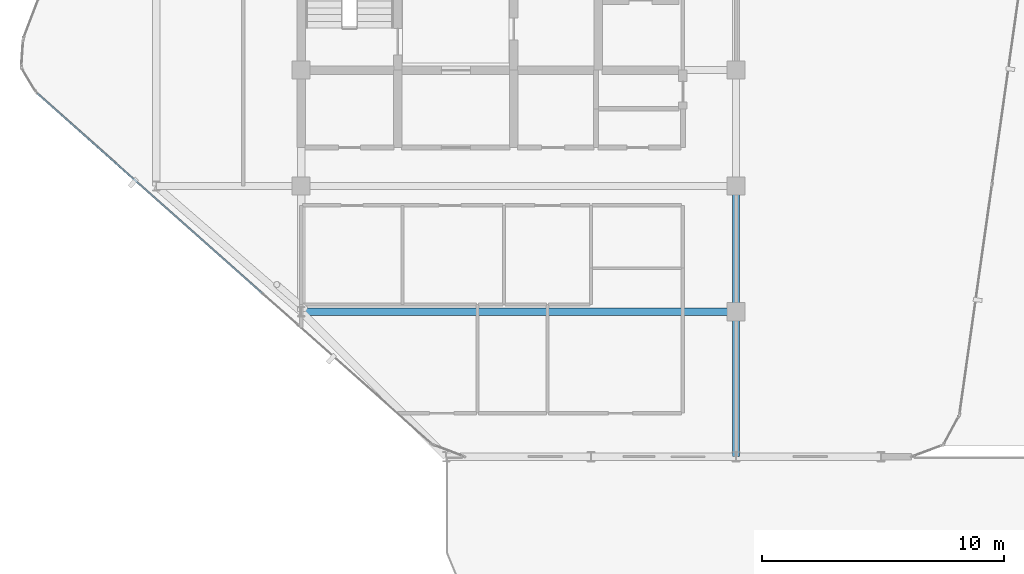
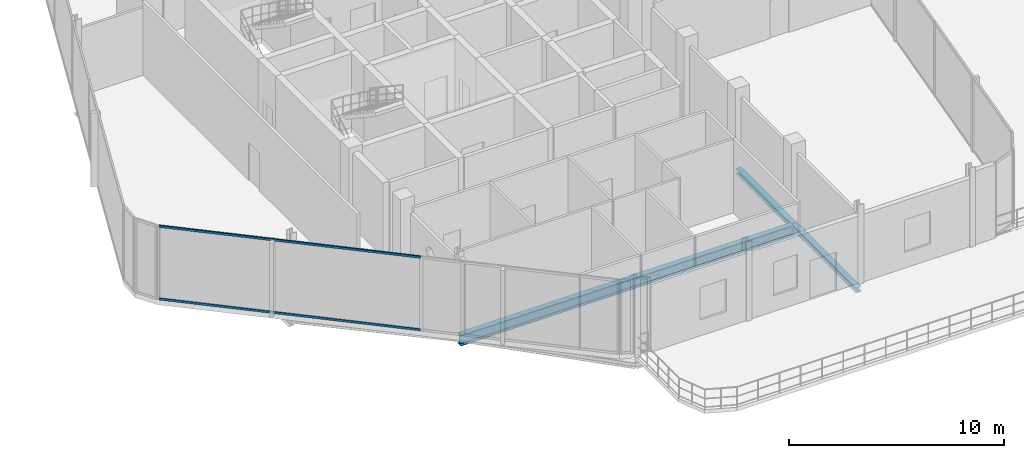
# One storey, part 6 of 24: 3 beams, 2 members, 1 element without a shape of its own.
"""IFC4 building model written with IfcOpenShell, lengths in metres."""

from ifc_helpers import new_model, si_unit, direction, frame, origin, origin_2d, place, context, subcontext, project, spatial, hollow_rectangle, i_section, extrude, material, layer, layer_set, material_profile, profile_set, type_object, element, aggregate, save


model = new_model("IFC4")

# Units and contexts
model_context = context("Model", 3, precision=1e-05, world=origin(), true_north=direction((0.0, 1.0)))
body_context = subcontext(model_context, "Body", "Model", "MODEL_VIEW")
ifc_project = project(units=[si_unit("LENGTHUNIT", "METRE"), si_unit("AREAUNIT", "SQUARE_METRE"), si_unit("VOLUMEUNIT", "CUBIC_METRE"), si_unit("PLANEANGLEUNIT", "RADIAN"), si_unit("MASSUNIT", "GRAM", prefix="KILO")], contexts=[model_context])

# Site, building, storey
site_placement = place(None, origin())
site = spatial("IfcSite", under=ifc_project, at=site_placement, CompositionType="ELEMENT")
building_placement = place(site_placement, origin())
building = spatial("IfcBuilding", under=site, at=building_placement, Name="Keshet Zoharim Tower", CompositionType="ELEMENT")
storey_placement = place(building_placement, frame((0.0, 0.0, 242.800048828125)))
storey = spatial("IfcBuildingStorey", under=building, at=storey_placement, Name="L60", CompositionType="ELEMENT", Elevation=242.800048828125)

# Beams
ifc_material_1 = material(Name="Steel S355", Category="steel")
ifc_material_profile_1 = material_profile(ifc_material_1, i_section(OverallWidth=0.300048828125, OverallDepth=0.60009765625, WebThickness=0.015380859375, FlangeThickness=0.030029296875, FilletRadius=0.027099609375, at=origin_2d()), Name="HEB600")
ifc_profile_set_1 = profile_set([ifc_material_profile_1], Name="Steel S355")
beam_type_1 = type_object("IfcBeamType", Name="BM-LNG-HB600", PredefinedType="BEAM", material=ifc_profile_set_1)
beam_1_placement = place(storey_placement, frame((15.0, 12.699951171875, -0.6201171875), z_axis=(1.0, 0.0, 0.0), x_axis=(0.0, 1.0, 0.0)))
element("IfcBeam", 1, at=beam_1_placement, inside=storey, type_object=beam_type_1, Name="L60 Primary Girder X-004", PredefinedType="BEAM", context=body_context, shape_type="SweptSolid", body=[
    extrude(i_section(OverallWidth=0.300048828125, OverallDepth=0.60009765625, WebThickness=0.015380859375, FlangeThickness=0.030029296875, FilletRadius=0.027099609375, at=origin_2d()), origin(), (0.0, 0.0, 1.0), 18.0),
])
ifc_material_profile_2 = material_profile(ifc_material_1, i_section(OverallWidth=0.300048828125, OverallDepth=0.2900390625, WebThickness=0.008544921875, FlangeThickness=0.013916015625, FilletRadius=0.027099609375, at=origin_2d()), Name="HEA300")
ifc_profile_set_2 = profile_set([ifc_material_profile_2], Name="Steel S355")
beam_type_2 = type_object("IfcBeamType", Name="BM-PRI-HA300", PredefinedType="BEAM", material=ifc_profile_set_2)
beam_2_placement = place(storey_placement, frame((33.0, 6.699951171875, -0.465087890625), z_axis=(0.0, 1.0, 0.0), x_axis=(-1.0, 0.0, 0.0)))
element("IfcBeam", 2, at=beam_2_placement, inside=storey, type_object=beam_type_2, Name="L60 Primary Girder Y-004", PredefinedType="BEAM", context=body_context, shape_type="SweptSolid", body=[
    extrude(i_section(OverallWidth=0.300048828125, OverallDepth=0.2900390625, WebThickness=0.008544921875, FlangeThickness=0.013916015625, FilletRadius=0.027099609375, at=origin_2d()), origin(), (0.0, 0.0, 1.0), 6.0),
])
beam_3_placement = place(storey_placement, frame((33.0, 12.699951171875, -0.465087890625), z_axis=(0.0, 1.0, 0.0), x_axis=(-1.0, 0.0, 0.0)))
element("IfcBeam", 3, at=beam_3_placement, inside=storey, type_object=beam_type_2, Name="L60 Primary Girder Y-005", PredefinedType="BEAM", context=body_context, shape_type="SweptSolid", body=[
    extrude(i_section(OverallWidth=0.300048828125, OverallDepth=0.2900390625, WebThickness=0.008544921875, FlangeThickness=0.013916015625, FilletRadius=0.027099609375, at=origin_2d()), origin(), (0.0, 0.0, 1.0), 5.199951171875),
])

# Curtain wall, members
ifc_material_2 = material(Name="Aluminium 6063-T6", Category="aluminium")
ifc_layer = layer(ifc_material_2, 0.260009765625)
ifc_layer_set = layer_set([ifc_layer], Name="Aluminium 6063-T6")
curtain_wall_type = type_object("IfcCurtainWallType", Name="CW-SYS-06", PredefinedType="NOTDEFINED", material=ifc_layer_set)
curtain_wall_placement = place(storey_placement, origin())
curtain_wall = element("IfcCurtainWall", 4, at=curtain_wall_placement, inside=storey, type_object=curtain_wall_type, Name="L60 Unitised Curtain Wall 15 Part 3", PredefinedType="NOTDEFINED")
ifc_material_profile_3 = material_profile(ifc_material_2, hollow_rectangle(XDim=0.074951171875, YDim=0.1201171875, WallThickness=0.00390625, at=origin_2d()), Name="TRN-75x120")
ifc_profile_set_3 = profile_set([ifc_material_profile_3], Name="Aluminium 6063-T6")
member_type = type_object("IfcMemberType", Name="CWT-T12", PredefinedType="USERDEFINED", material=ifc_profile_set_3)
member_1_placement = place(storey_placement, frame((13.376953125, 13.47607421875, 0.034912109375), z_axis=(-0.74741148617, 0.6643614004, 0.0), x_axis=(-0.6643614004, -0.74741148617, 0.0)))
member_1 = element("IfcMember", 5, at=member_1_placement, type_object=member_type, Name="CW-06 transom 1.1", ObjectType="TRANSOM", PredefinedType="USERDEFINED", context=body_context, shape_type="SweptSolid", body=[
    extrude(hollow_rectangle(XDim=0.074951171875, YDim=0.1201171875, WallThickness=0.00390625, at=origin_2d()), origin(), (0.0, 0.0, 1.0), 12.428955078125),
])
member_2_placement = place(storey_placement, frame((13.376953125, 13.47607421875, 4.155029296875), z_axis=(-0.74741148617, 0.6643614004, 0.0), x_axis=(-0.6643614004, -0.74741148617, 0.0)))
member_2 = element("IfcMember", 6, at=member_2_placement, type_object=member_type, Name="CW-06 transom 1.2", ObjectType="TRANSOM", PredefinedType="USERDEFINED", context=body_context, shape_type="SweptSolid", body=[
    extrude(hollow_rectangle(XDim=0.074951171875, YDim=0.1201171875, WallThickness=0.00390625, at=origin_2d()), origin(), (0.0, 0.0, 1.0), 12.428955078125),
])
aggregate(curtain_wall, [member_1, member_2])

save(model, "model.ifc")
